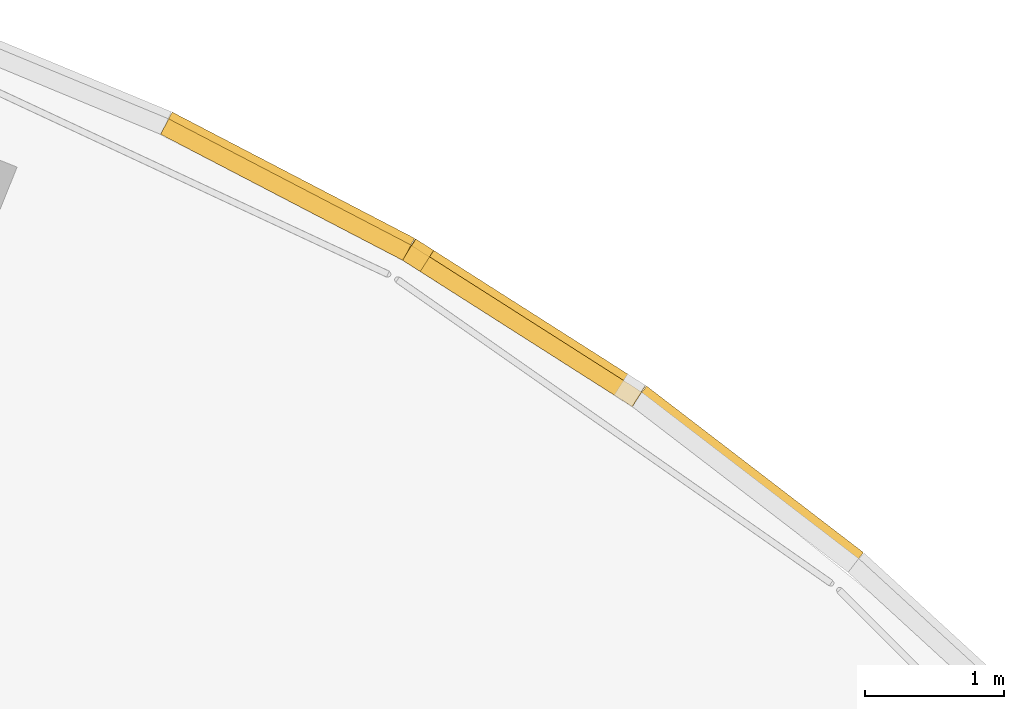
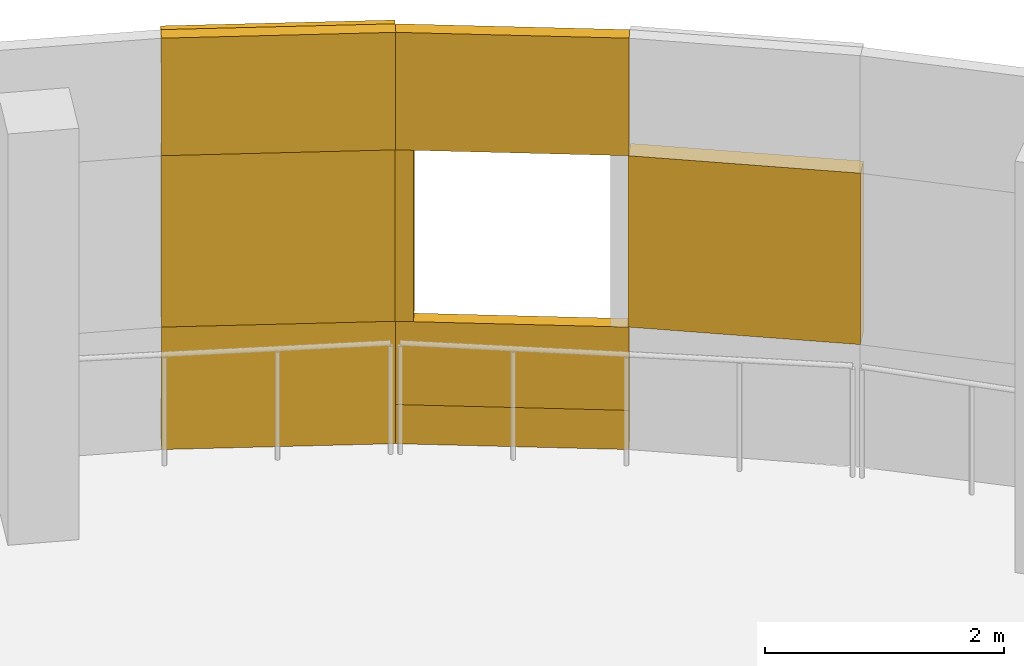
# One storey, part 88 of 88: 10 coverings.
"""IFC4 building model written with IfcOpenShell, lengths in metres."""

from ifc_helpers import new_model, si_unit, direction, frame, origin, origin_2d, place, context, subcontext, project, spatial, rectangle, extrude, material, layer, layer_set, type_object, element, save


model = new_model("IFC4")

# Units and contexts
model_context = context("Model", 3, precision=1e-05, world=origin(), true_north=direction((0.0, 1.0)))
body_context = subcontext(model_context, "Body", "Model", "MODEL_VIEW")
ifc_project = project(units=[si_unit("LENGTHUNIT", "METRE"), si_unit("AREAUNIT", "SQUARE_METRE"), si_unit("VOLUMEUNIT", "CUBIC_METRE"), si_unit("PLANEANGLEUNIT", "RADIAN"), si_unit("MASSUNIT", "GRAM", prefix="KILO")], contexts=[model_context])

# Site, building, storey
site_placement = place(None, origin())
site = spatial("IfcSite", under=ifc_project, at=site_placement, CompositionType="ELEMENT")
building_placement = place(site_placement, origin())
building = spatial("IfcBuilding", under=site, at=building_placement, Name="Deido Ridge Mobility Hub", CompositionType="ELEMENT")
storey_placement = place(building_placement, frame((0.0, 0.0, 16.800048828125)))
storey = spatial("IfcBuildingStorey", under=building, at=storey_placement, Name="L04", CompositionType="ELEMENT", Elevation=16.800048828125)

# Coverings
ifc_material = material(Name="Fired clay brick masonry", Category="masonry")
ifc_layer = layer(ifc_material, 0.114990234375, Name="Fired clay brick masonry")
ifc_layer_set = layer_set([ifc_layer], Name="Fired clay brick masonry")
covering_type = type_object("IfcCoveringType", Name="COV-BRK-SCREEN-115", PredefinedType="CLADDING", material=ifc_layer_set)
covering_1_placement = place(storey_placement, frame((130.6689453125, 121.313720703125, 1.25), z_axis=(0.0, 0.0, 1.0), x_axis=(-0.793353340291, 0.608761429009, 0.0)))
element("IfcCovering", 1, at=covering_1_placement, inside=storey, type_object=covering_type, Name="Curved raised brickwork pier BKS1 (L04)", PredefinedType="CLADDING", context=body_context, shape_type="SweptSolid", body=[
    extrude(rectangle(XDim=1.9619140625, YDim=0.179931640625, at=origin_2d()), origin(), (0.0, 0.0, 1.0), 1.75),
])
covering_2_placement = place(storey_placement, frame((129.049560546875, 122.4140625, 0.0), z_axis=(0.0, 0.0, 1.0), x_axis=(-0.843382068037, 0.537314328223, 0.0)))
element("IfcCovering", 2, at=covering_2_placement, inside=storey, type_object=covering_type, Name="Open brickwork spandrel course BKS1 (L04)", PredefinedType="CLADDING", context=body_context, shape_type="SweptSolid", body=[
    extrude(rectangle(XDim=1.9619140625, YDim=0.125, at=origin_2d()), origin(), (0.0, 0.0, 1.0), 1.25),
])
covering_3_placement = place(storey_placement, frame((129.064208984375, 122.437255859375, 0.0), z_axis=(0.0, 0.0, 1.0), x_axis=(-0.843382068037, 0.537314328223, 0.0)))
element("IfcCovering", 3, at=covering_3_placement, inside=storey, type_object=covering_type, Name="Raised brick relief belt BKS1 (L04)", PredefinedType="CLADDING", context=body_context, shape_type="SweptSolid", body=[
    extrude(rectangle(XDim=1.9619140625, YDim=0.179931640625, at=origin_2d()), origin(), (0.0, 0.0, 1.0), 0.39990234375),
])
covering_4_placement = place(storey_placement, frame((129.049560546875, 122.4140625, 3.0), z_axis=(0.0, 0.0, 1.0), x_axis=(-0.843382068037, 0.537314328223, 0.0)))
element("IfcCovering", 4, at=covering_4_placement, inside=storey, type_object=covering_type, Name="Open brickwork lintel course BKS1 (L04)", PredefinedType="CLADDING", context=body_context, shape_type="SweptSolid", body=[
    extrude(rectangle(XDim=1.9619140625, YDim=0.125, at=origin_2d()), origin(), (0.0, 0.0, 1.0), 1.199951171875),
])
covering_5_placement = place(storey_placement, frame((128.304443359375, 122.92138671875, 1.25), z_axis=(0.0, 0.0, 1.0), x_axis=(-0.843382068037, 0.537314328223, 0.0)))
element("IfcCovering", 5, at=covering_5_placement, inside=storey, type_object=covering_type, Name="Curved brick jamb nib BKS1 (L04)", PredefinedType="CLADDING", context=body_context, shape_type="SweptSolid", body=[
    extrude(rectangle(XDim=0.152099609375, YDim=0.179931640625, at=origin_2d()), origin(), (0.0, 0.0, 1.0), 1.75),
])
covering_6_placement = place(storey_placement, frame((127.355224609375, 123.392333984375, 0.0), z_axis=(0.0, 0.0, 1.0), x_axis=(-0.887018892077, 0.461733131905, 0.0)))
element("IfcCovering", 6, at=covering_6_placement, inside=storey, type_object=covering_type, Name="Open brickwork spandrel course BKS1 (L04)", PredefinedType="CLADDING", context=body_context, shape_type="SweptSolid", body=[
    extrude(rectangle(XDim=1.9619140625, YDim=0.125, at=origin_2d()), origin(), (0.0, 0.0, 1.0), 1.25),
])
covering_7_placement = place(storey_placement, frame((127.367919921875, 123.416748046875, 0.0), z_axis=(0.0, 0.0, 1.0), x_axis=(-0.887018892077, 0.461733131905, 0.0)))
element("IfcCovering", 7, at=covering_7_placement, inside=storey, type_object=covering_type, Name="Raised brick relief belt BKS1 (L04)", PredefinedType="CLADDING", context=body_context, shape_type="SweptSolid", body=[
    extrude(rectangle(XDim=1.9619140625, YDim=0.179931640625, at=origin_2d()), origin(), (0.0, 0.0, 1.0), 0.39990234375),
])
covering_8_placement = place(storey_placement, frame((127.355224609375, 123.392333984375, 3.0), z_axis=(0.0, 0.0, 1.0), x_axis=(-0.887018892077, 0.461733131905, 0.0)))
element("IfcCovering", 8, at=covering_8_placement, inside=storey, type_object=covering_type, Name="Open brickwork lintel course BKS1 (L04)", PredefinedType="CLADDING", context=body_context, shape_type="SweptSolid", body=[
    extrude(rectangle(XDim=1.9619140625, YDim=0.125, at=origin_2d()), origin(), (0.0, 0.0, 1.0), 1.199951171875),
])
covering_9_placement = place(storey_placement, frame((127.367919921875, 123.416748046875, 3.83984375), z_axis=(0.0, 0.0, 1.0), x_axis=(-0.887018892077, 0.461733131905, 0.0)))
element("IfcCovering", 9, at=covering_9_placement, inside=storey, type_object=covering_type, Name="Raised brick relief cornice BKS1 (L04)", PredefinedType="CLADDING", context=body_context, shape_type="SweptSolid", body=[
    extrude(rectangle(XDim=1.9619140625, YDim=0.179931640625, at=origin_2d()), origin(), (0.0, 0.0, 1.0), 0.360107421875),
])
covering_10_placement = place(storey_placement, frame((127.367919921875, 123.416748046875, 1.25), z_axis=(0.0, 0.0, 1.0), x_axis=(-0.887018892077, 0.461733131905, 0.0)))
element("IfcCovering", 10, at=covering_10_placement, inside=storey, type_object=covering_type, Name="Curved raised brickwork pier BKS1 (L04)", PredefinedType="CLADDING", context=body_context, shape_type="SweptSolid", body=[
    extrude(rectangle(XDim=1.9619140625, YDim=0.179931640625, at=origin_2d()), origin(), (0.0, 0.0, 1.0), 1.75),
])

save(model, "model.ifc")
